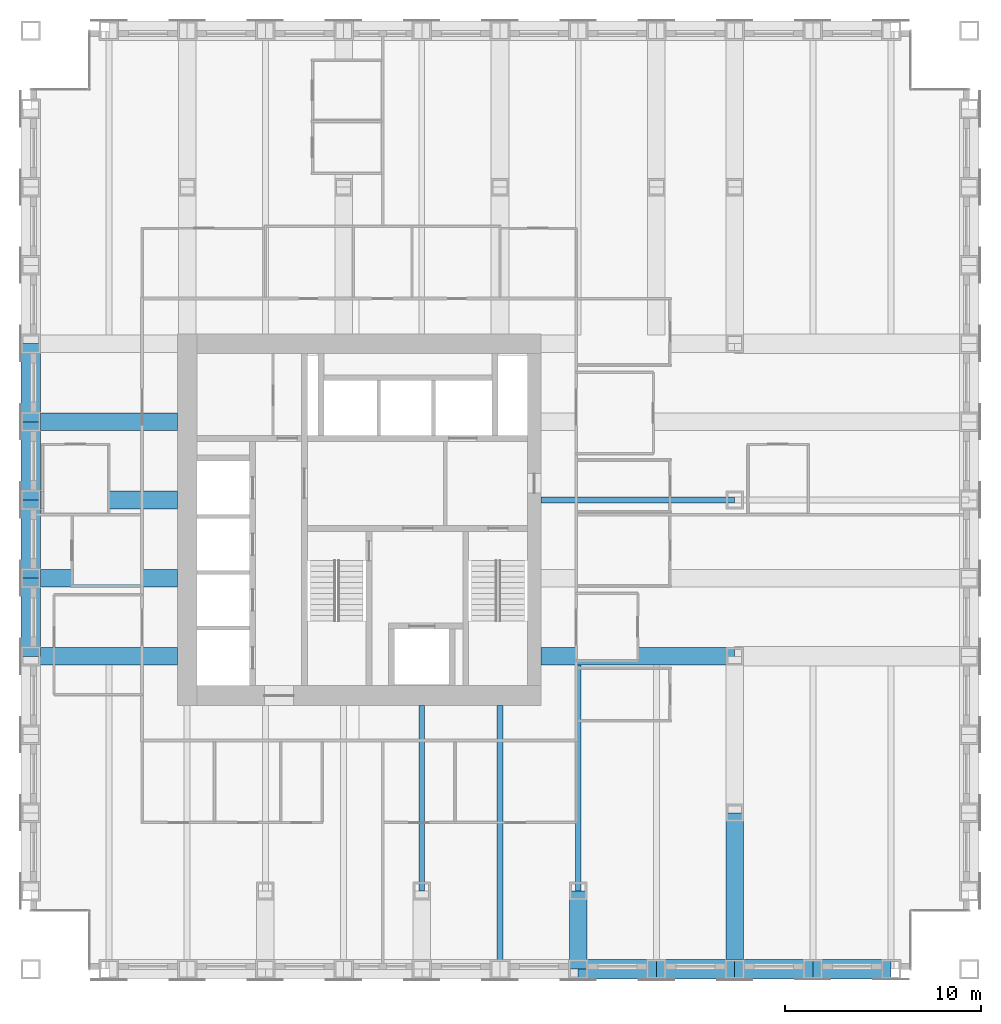
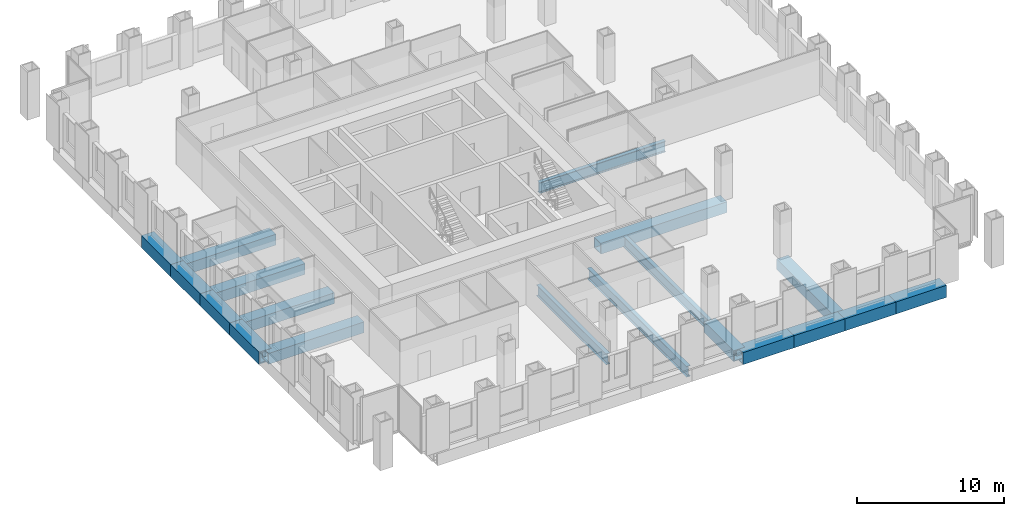
# One storey, part 3 of 16: 19 beams.
"""IFC4 building model written with IfcOpenShell, lengths in metres."""

from ifc_helpers import new_model, si_unit, direction, frame, origin, origin_2d, place, context, subcontext, project, spatial, hollow_rectangle, i_section, extrude, material, material_profile, profile_set, type_object, element, save


model = new_model("IFC4")

# Units and contexts
model_context = context("Model", 3, precision=1e-05, world=origin(), true_north=direction((0.0, 1.0)))
body_context = subcontext(model_context, "Body", "Model", "MODEL_VIEW")
ifc_project = project(units=[si_unit("LENGTHUNIT", "METRE"), si_unit("AREAUNIT", "SQUARE_METRE"), si_unit("VOLUMEUNIT", "CUBIC_METRE"), si_unit("PLANEANGLEUNIT", "RADIAN"), si_unit("MASSUNIT", "GRAM", prefix="KILO")], contexts=[model_context])

# Site, building, storey
site_placement = place(None, origin())
site = spatial("IfcSite", under=ifc_project, at=site_placement, CompositionType="ELEMENT")
building_placement = place(site_placement, origin())
building = spatial("IfcBuilding", under=site, at=building_placement, Name="Rimbunsela Tower", CompositionType="ELEMENT")
storey_placement = place(building_placement, frame((0.0, 0.0, 129.39990234375)))
storey = spatial("IfcBuildingStorey", under=building, at=storey_placement, Name="L31", CompositionType="ELEMENT", Elevation=129.39990234375)

# Beams
ifc_material_1 = material(Name="Steel BJ 55 (fy 410 MPa)", Category="steel")
ifc_material_profile_1 = material_profile(ifc_material_1, hollow_rectangle(XDim=1.0, YDim=1.0, WallThickness=0.10009765625, at=origin_2d()), Name="BOX 1000x1000x100")
ifc_profile_set_1 = profile_set([ifc_material_profile_1], Name="Steel BJ 55 (fy 410 MPa)")
beam_type_1 = type_object("IfcBeamType", Name="Beam BOX 1000x1000x100", PredefinedType="BEAM", material=ifc_profile_set_1)
for number, where, z_axis, x_axis, name in (
    (1, (10.0, 20.0, -0.64990234375), (0.0, 1.0, 0.0), (-1.0, 0.0, 0.0), "Beam B3 L31"),
    (2, (10.0, 24.0, -0.64990234375), (0.0, 1.0, 0.0), (-1.0, 0.0, 0.0), "Beam B3 L31"),
    (3, (10.0, 28.0, -0.64990234375), (0.0, 1.0, 0.0), (-1.0, 0.0, 0.0), "Beam B3 L31"),
    (4, (10.0, 32.0, -0.64990234375), (0.0, 1.0, 0.0), (-1.0, 0.0, 0.0), "Beam B3 L31"),
    (5, (38.0, 4.0, -0.64990234375), (1.0, 0.0, 0.0), (0.0, 1.0, 0.0), "Beam B3 L31"),
    (6, (42.0, 4.0, -0.64990234375), (1.0, 0.0, 0.0), (0.0, 1.0, 0.0), "Beam B3 L31"),
    (7, (46.0, 4.0, -0.64990234375), (1.0, 0.0, 0.0), (0.0, 1.0, 0.0), "Beam B3 L31"),
    (8, (50.0, 4.0, -0.64990234375), (1.0, 0.0, 0.0), (0.0, 1.0, 0.0), "Beam B3 L31"),
):
    element("IfcBeam", number, at=place(storey_placement, frame(where, z_axis=z_axis, x_axis=x_axis)), inside=storey, type_object=beam_type_1, Name=name, PredefinedType="BEAM", context=body_context, shape_type="SweptSolid", body=[
        extrude(hollow_rectangle(XDim=1.0, YDim=1.0, WallThickness=0.10009765625, at=origin_2d()), origin(), (0.0, 0.0, 1.0), 4.0),
    ])
ifc_material_2 = material(Name="Steel BJ 55 (fy 410 MPa)", Category="steel")
ifc_material_profile_2 = material_profile(ifc_material_2, hollow_rectangle(XDim=0.89990234375, YDim=0.89990234375, WallThickness=0.06005859375, at=origin_2d()), Name="BOX 900x900x60")
ifc_profile_set_2 = profile_set([ifc_material_profile_2], Name="Steel BJ 55 (fy 410 MPa)")
beam_type_2 = type_object("IfcBeamType", Name="Beam BOX 900x900x60", PredefinedType="BEAM", material=ifc_profile_set_2)
for number, where, z_axis, x_axis, name in (
    (9, (10.0, 20.0, -0.599853515625), (1.0, 0.0, 0.0), (0.0, 1.0, 0.0), "Beam B1 L31"),
    (10, (10.0, 24.0, -0.599853515625), (1.0, 0.0, 0.0), (0.0, 1.0, 0.0), "Beam B1 L31"),
    (11, (10.0, 28.0, -0.599853515625), (1.0, 0.0, 0.0), (0.0, 1.0, 0.0), "Beam B1 L31"),
    (12, (10.0, 32.0, -0.599853515625), (1.0, 0.0, 0.0), (0.0, 1.0, 0.0), "Beam B1 L31"),
):
    element("IfcBeam", number, at=place(storey_placement, frame(where, z_axis=z_axis, x_axis=x_axis)), inside=storey, type_object=beam_type_2, Name=name, PredefinedType="BEAM", context=body_context, shape_type="SweptSolid", body=[
        extrude(hollow_rectangle(XDim=0.89990234375, YDim=0.89990234375, WallThickness=0.06005859375, at=origin_2d()), origin(), (0.0, 0.0, 1.0), 7.5),
    ])
beam_1_placement = place(storey_placement, frame((36.10009765625, 20.0, -0.599853515625), z_axis=(1.0, 0.0, 0.0), x_axis=(0.0, 1.0, 0.0)))
element("IfcBeam", 13, at=beam_1_placement, inside=storey, type_object=beam_type_2, Name="Beam B1 L31", PredefinedType="BEAM", context=body_context, shape_type="SweptSolid", body=[
    extrude(hollow_rectangle(XDim=0.89990234375, YDim=0.89990234375, WallThickness=0.06005859375, at=origin_2d()), origin(), (0.0, 0.0, 1.0), 9.89990234375),
])
beam_2_placement = place(storey_placement, frame((38.0, 4.0, -0.599853515625), z_axis=(0.0, 1.0, 0.0), x_axis=(-1.0, 0.0, 0.0)))
element("IfcBeam", 14, at=beam_2_placement, inside=storey, type_object=beam_type_2, Name="Beam B1 L31", PredefinedType="BEAM", context=body_context, shape_type="SweptSolid", body=[
    extrude(hollow_rectangle(XDim=0.89990234375, YDim=0.89990234375, WallThickness=0.06005859375, at=origin_2d()), origin(), (0.0, 0.0, 1.0), 4.0),
])
beam_3_placement = place(storey_placement, frame((46.0, 4.0, -0.599853515625), z_axis=(0.0, 1.0, 0.0), x_axis=(-1.0, 0.0, 0.0)))
element("IfcBeam", 15, at=beam_3_placement, inside=storey, type_object=beam_type_2, Name="Beam B1 L31", PredefinedType="BEAM", context=body_context, shape_type="SweptSolid", body=[
    extrude(hollow_rectangle(XDim=0.89990234375, YDim=0.89990234375, WallThickness=0.06005859375, at=origin_2d()), origin(), (0.0, 0.0, 1.0), 8.0),
])
ifc_material_3 = material(Name="Steel BJ 55 (fy 410 MPa)", Category="steel")
ifc_material_profile_3 = material_profile(ifc_material_3, i_section(OverallWidth=0.300048828125, OverallDepth=0.89990234375, WebThickness=0.01611328125, FlangeThickness=0.028076171875, FilletRadius=0.028076171875, at=origin_2d()), Name="H 900x300x16x28")
ifc_profile_set_3 = profile_set([ifc_material_profile_3], Name="Steel BJ 55 (fy 410 MPa)")
beam_type_3 = type_object("IfcBeamType", Name="Beam H 900x300x16x28", PredefinedType="BEAM", material=ifc_profile_set_3)
beam_4_placement = place(storey_placement, frame((30.0, 8.0, -0.599853515625), z_axis=(0.0, 1.0, 0.0), x_axis=(-1.0, 0.0, 0.0)))
element("IfcBeam", 16, at=beam_4_placement, inside=storey, type_object=beam_type_3, Name="Beam B2 L31", PredefinedType="BEAM", context=body_context, shape_type="SweptSolid", body=[
    extrude(i_section(OverallWidth=0.300048828125, OverallDepth=0.89990234375, WebThickness=0.01611328125, FlangeThickness=0.028076171875, FilletRadius=0.028076171875, at=origin_2d()), origin(), (0.0, 0.0, 1.0), 9.5),
])
beam_5_placement = place(storey_placement, frame((34.0, 4.0, -0.599853515625), z_axis=(0.0, 1.0, 0.0), x_axis=(-1.0, 0.0, 0.0)))
element("IfcBeam", 17, at=beam_5_placement, inside=storey, type_object=beam_type_3, Name="Beam B2 L31", PredefinedType="BEAM", context=body_context, shape_type="SweptSolid", body=[
    extrude(i_section(OverallWidth=0.300048828125, OverallDepth=0.89990234375, WebThickness=0.01611328125, FlangeThickness=0.028076171875, FilletRadius=0.028076171875, at=origin_2d()), origin(), (0.0, 0.0, 1.0), 13.5),
])
beam_6_placement = place(storey_placement, frame((36.10009765625, 28.0, -0.599853515625), z_axis=(1.0, 0.0, 0.0), x_axis=(0.0, 1.0, 0.0)))
element("IfcBeam", 18, at=beam_6_placement, inside=storey, type_object=beam_type_3, Name="Beam B2 L31", PredefinedType="BEAM", context=body_context, shape_type="SweptSolid", body=[
    extrude(i_section(OverallWidth=0.300048828125, OverallDepth=0.89990234375, WebThickness=0.01611328125, FlangeThickness=0.028076171875, FilletRadius=0.028076171875, at=origin_2d()), origin(), (0.0, 0.0, 1.0), 9.89990234375),
])
beam_7_placement = place(storey_placement, frame((38.0, 8.0, -0.599853515625), z_axis=(0.0, 1.0, 0.0), x_axis=(-1.0, 0.0, 0.0)))
element("IfcBeam", 19, at=beam_7_placement, inside=storey, type_object=beam_type_3, Name="Beam B2 L31", PredefinedType="BEAM", context=body_context, shape_type="SweptSolid", body=[
    extrude(i_section(OverallWidth=0.300048828125, OverallDepth=0.89990234375, WebThickness=0.01611328125, FlangeThickness=0.028076171875, FilletRadius=0.028076171875, at=origin_2d()), origin(), (0.0, 0.0, 1.0), 11.550048828125),
])

save(model, "model.ifc")
